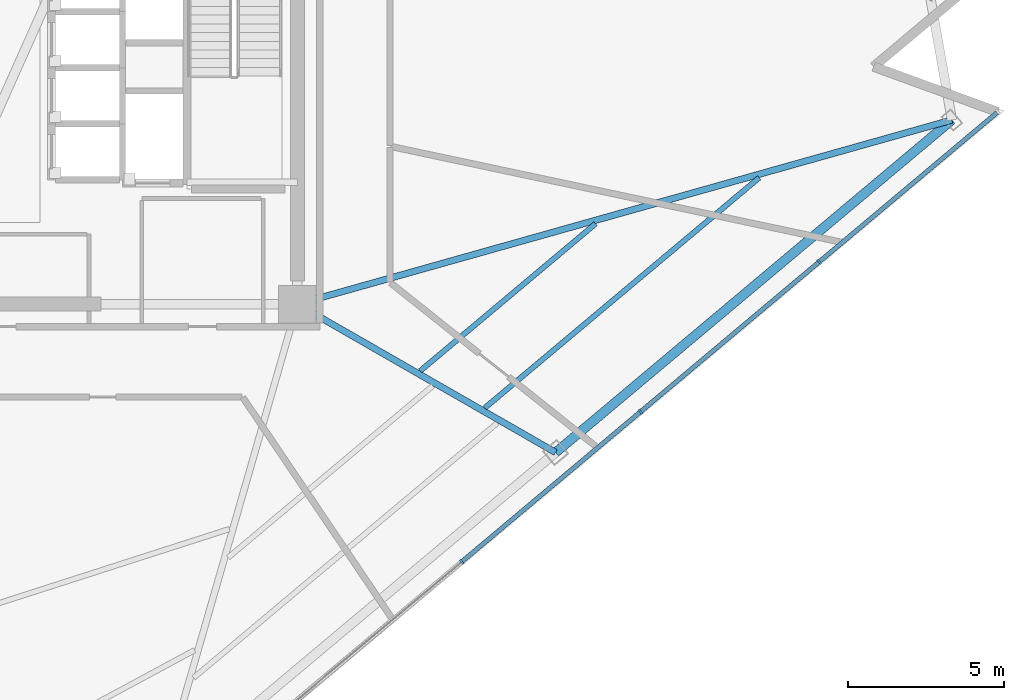
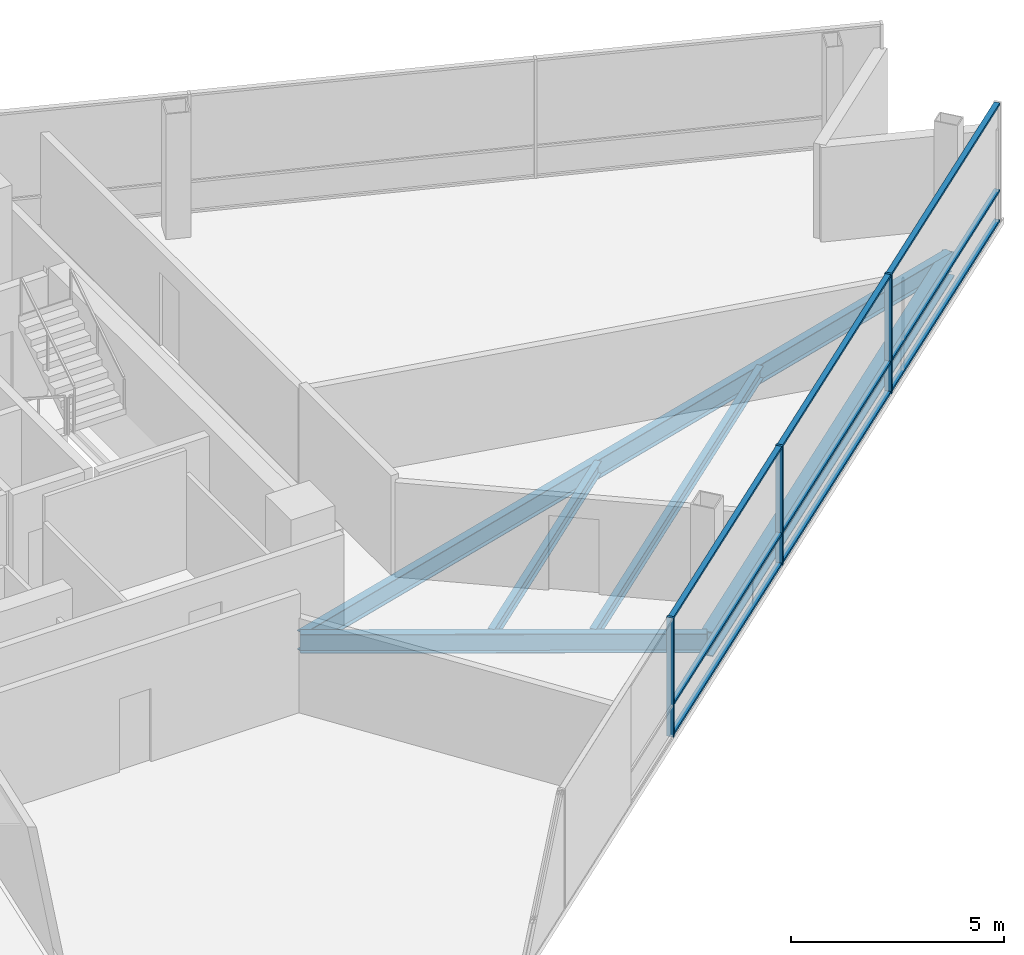
# One storey, part 4 of 16: 12 members, 5 beams, 1 element without a shape of its own.
"""IFC4 building model written with IfcOpenShell, lengths in metres."""

import ifcopenshell
import ifcopenshell.guid

model = None  # the IFC model being written
_history = None  # IfcOwnerHistory: only IFC2X3 demands one
_inside = {}  # id of a spatial element -> (the spatial element, [elements in it])
_under = {}  # id of a project, library or spatial element -> (it, [spatial elements below it])
_declared = {}  # id of a project -> (the project, [libraries it declares])
_typed = {}  # id of a type object -> (the type object, [elements of that type])
_made_of = {}  # id of a material, layer set ... -> (it, [elements and type objects made of it])


def new_model(schema):
    """Start an empty IFC model of exactly this schema.

    Asked for "IFC4X3", IfcOpenShell would pick the latest addendum, in which some entities
    have other attributes; the version numbers below select the first issue.
    IFC2X3 requires an IfcOwnerHistory on every rooted entity: one is made here for all.
    """
    global model, _history
    if schema == "IFC4X3":
        model = ifcopenshell.file(schema_version=(4, 3, 0, 0))
    else:
        model = ifcopenshell.file(schema=schema)
    _inside.clear()
    _under.clear()
    _declared.clear()
    _typed.clear()
    _made_of.clear()
    _history = None
    if model.schema == "IFC2X3":
        org = make("IfcOrganization", Name="unknown")
        user = make(
            "IfcPersonAndOrganization",
            ThePerson=make("IfcPerson", FamilyName="unknown"),
            TheOrganization=org,
        )
        app = make(
            "IfcApplication",
            ApplicationDeveloper=org,
            Version="unknown",
            ApplicationFullName="unknown",
            ApplicationIdentifier="unknown",
        )
        _history = make(
            "IfcOwnerHistory",
            OwningUser=user,
            OwningApplication=app,
            ChangeAction="ADDED",
            CreationDate=0,
        )
    return model


def make(cls, **values):
    """One entity of the class cls with the attributes given. An attribute that is None is left unset."""
    return model.create_entity(
        cls, **{name: value for name, value in values.items() if value is not None}
    )


def rooted(cls, **values):
    """An entity with a GlobalId (a new one), such as an element, a storey or a relation."""
    return make(cls, GlobalId=ifcopenshell.guid.new(), OwnerHistory=_history, **values)


def si_unit(unit_type, name, prefix=None):
    """IfcSIUnit, for example si_unit("LENGTHUNIT", "METRE", prefix="MILLI")."""
    return make("IfcSIUnit", UnitType=unit_type, Prefix=prefix, Name=name)


def assignment(units):
    """IfcUnitAssignment: the units of a project."""
    return None if units is None else make("IfcUnitAssignment", Units=units)


def point(xyz):
    """IfcCartesianPoint."""
    return None if xyz is None else make("IfcCartesianPoint", Coordinates=xyz)


def direction(xyz):
    """IfcDirection."""
    return None if xyz is None else make("IfcDirection", DirectionRatios=xyz)


def frame(location, z_axis=None, x_axis=None):
    """IfcAxis2Placement3D, a coordinate frame: its origin and axes. An axis left out is left unset."""
    return make(
        "IfcAxis2Placement3D",
        Location=point(location),
        Axis=direction(z_axis),
        RefDirection=direction(x_axis),
    )


def frame_2d(location, x_axis=None):
    """IfcAxis2Placement2D, a coordinate frame in the plane: its origin and x axis."""
    return make(
        "IfcAxis2Placement2D", Location=point(location), RefDirection=direction(x_axis)
    )


def origin():
    """The frame at (0, 0, 0) with its axes left unset."""
    return frame((0.0, 0.0, 0.0))


def origin_2d():
    """The frame at (0, 0) in the plane with its x axis left unset."""
    return frame_2d((0.0, 0.0))


def place(relative_to, where):
    """IfcLocalPlacement: puts the frame where relative to a parent placement (None: the world)."""
    return make(
        "IfcLocalPlacement", PlacementRelTo=relative_to, RelativePlacement=where
    )


def context(
    kind, dimensions, precision=None, world=None, true_north=None, identifier=None
):
    """IfcGeometricRepresentationContext, for example the 3D "Model" context."""
    return make(
        "IfcGeometricRepresentationContext",
        ContextIdentifier=identifier,
        ContextType=kind,
        CoordinateSpaceDimension=dimensions,
        Precision=precision,
        WorldCoordinateSystem=world,
        TrueNorth=true_north,
    )


def subcontext(parent, identifier, kind, view, scale=None):
    """IfcGeometricRepresentationSubContext, for example "Body" below "Model"."""
    return make(
        "IfcGeometricRepresentationSubContext",
        ContextIdentifier=identifier,
        ContextType=kind,
        ParentContext=parent,
        TargetScale=scale,
        TargetView=view,
    )


def project(units=None, contexts=None):
    """IfcProject with its units and contexts."""
    return rooted(
        "IfcProject",
        Name="project",
        RepresentationContexts=contexts,
        UnitsInContext=assignment(units),
    )


def spatial(cls, under=None, at=None, **own):
    """A site, building, storey or space (cls), placed at a placement, below another one or the project."""
    s = rooted(cls, ObjectPlacement=at, **own)
    if under is not None:
        _under.setdefault(under.id(), (under, []))[1].append(s)
    return s


def profile(cls, at=None, kind="AREA", **sizes):
    """A parametric profile (cls). Its sizes go by their IFC names, for example OverallWidth=200.0."""
    return make(cls, ProfileType=kind, Position=at, **sizes)


def rectangle(**sizes):
    """IfcRectangleProfileDef."""
    return profile("IfcRectangleProfileDef", **sizes)


def i_section(**sizes):
    """IfcIShapeProfileDef."""
    return profile("IfcIShapeProfileDef", **sizes)


def extrude(swept, where, along, depth):
    """IfcExtrudedAreaSolid: the profile swept, set in the frame where, extruded along a direction by depth."""
    return make(
        "IfcExtrudedAreaSolid",
        SweptArea=swept,
        Position=where,
        ExtrudedDirection=direction(along),
        Depth=depth,
    )


def shape(context_of_items, identifier, shape_type, items):
    """IfcShapeRepresentation: the items that make up one representation, for example the "Body"."""
    return make(
        "IfcShapeRepresentation",
        ContextOfItems=context_of_items,
        RepresentationIdentifier=identifier,
        RepresentationType=shape_type,
        Items=items,
    )


def material(Name=None, Category=None):
    """IfcMaterial."""
    return make("IfcMaterial", Name=Name, Category=Category)


def layer(
    of_material, thickness, ventilated=None, Name=None, Category=None, Priority=None
):
    """IfcMaterialLayer: one layer of a wall or slab, of a material (None: an air gap)."""
    return make(
        "IfcMaterialLayer",
        Material=of_material,
        LayerThickness=thickness,
        IsVentilated=ventilated,
        Name=Name,
        Category=Category,
        Priority=Priority,
    )


def layer_set(layers, Name=None):
    """IfcMaterialLayerSet."""
    return make("IfcMaterialLayerSet", MaterialLayers=layers, LayerSetName=Name)


def material_profile(
    of_material, cross_section, Name=None, Category=None, Priority=None
):
    """IfcMaterialProfile: a cross section and its material."""
    return make(
        "IfcMaterialProfile",
        Name=Name,
        Material=of_material,
        Profile=cross_section,
        Priority=Priority,
        Category=Category,
    )


def profile_set(profiles, Name=None, composite=None):
    """IfcMaterialProfileSet."""
    return make(
        "IfcMaterialProfileSet",
        Name=Name,
        MaterialProfiles=profiles,
        CompositeProfile=composite,
    )


def made_of(thing, what):
    """Note that an element or type object is made of a material, layer set ...; save() writes the relation."""
    if what is not None:
        _made_of.setdefault(what.id(), (what, []))[1].append(thing)
    return thing


def type_object(cls, material=None, **own):
    """A type object (cls), such as IfcWallType, which elements share."""
    return made_of(rooted(cls, **own), material)


def element(
    cls,
    number,
    at=None,
    inside=None,
    cuts=None,
    type_object=None,
    material=None,
    context=None,
    identifier="Body",
    shape_type=None,
    held_by="IfcProductDefinitionShape",
    body=None,
    shapes=None,
    **own,
):
    """One element of the class cls, such as IfcWall. Its Tag is "e" and its number.

    at: its placement. inside: the storey or other place that contains it. cuts: it is an
    opening in that element (IfcRelVoidsElement). A single representation is given by context,
    identifier, shape_type and body (its items); several are given by shapes. held_by: the class
    of the entity that holds the representations. save() writes the other relations.
    """
    e = rooted(cls, Tag="e%d" % number, ObjectPlacement=at, **own)
    if body is not None:
        shapes = [shape(context, identifier, shape_type, body)]
    if shapes is not None:
        e.Representation = make(held_by, Representations=shapes)
    if inside is not None:
        _inside.setdefault(inside.id(), (inside, []))[1].append(e)
    if cuts is not None:
        rooted(
            "IfcRelVoidsElement", RelatingBuildingElement=cuts, RelatedOpeningElement=e
        )
    if type_object is not None:
        _typed.setdefault(type_object.id(), (type_object, []))[1].append(e)
    return made_of(e, material)


def aggregate(whole, parts):
    """IfcRelAggregates: a whole, such as a stair, and the parts it consists of."""
    return rooted("IfcRelAggregates", RelatingObject=whole, RelatedObjects=parts)


def save(model, path):
    """Write the relations noted so far, then the file.

    IfcRelAggregates (storeys below a building ...), IfcRelContainedInSpatialStructure (elements
    in a storey), IfcRelDefinesByType, IfcRelAssociatesMaterial and IfcRelDeclares: one each for
    every whole, place, type object, material and project.
    """
    for whole, parts in _under.values():
        aggregate(whole, parts)
    for where, things in _inside.values():
        rooted(
            "IfcRelContainedInSpatialStructure",
            RelatedElements=things,
            RelatingStructure=where,
        )
    for kind, things in _typed.values():
        rooted("IfcRelDefinesByType", RelatedObjects=things, RelatingType=kind)
    for what, things in _made_of.values():
        rooted("IfcRelAssociatesMaterial", RelatedObjects=things, RelatingMaterial=what)
    for by, libraries in _declared.values():
        rooted("IfcRelDeclares", RelatingContext=by, RelatedDefinitions=libraries)
    model.write(path)


model = new_model("IFC4")

# Units and contexts
model_context = context("Model", 3, precision=1e-05, world=origin(), true_north=direction((0.0, 1.0)))
body_context = subcontext(model_context, "Body", "Model", "MODEL_VIEW")
ifc_project = project(units=[si_unit("LENGTHUNIT", "METRE"), si_unit("AREAUNIT", "SQUARE_METRE"), si_unit("VOLUMEUNIT", "CUBIC_METRE"), si_unit("PLANEANGLEUNIT", "RADIAN"), si_unit("MASSUNIT", "GRAM", prefix="KILO")], contexts=[model_context])

# Site, building, storey
site_placement = place(None, origin())
site = spatial("IfcSite", under=ifc_project, at=site_placement, CompositionType="ELEMENT")
building_placement = place(site_placement, origin())
building = spatial("IfcBuilding", under=site, at=building_placement, Name="Tharavind Bronze Gate", CompositionType="ELEMENT")
storey_placement = place(building_placement, frame((0.0, 0.0, 170.5)))
storey = spatial("IfcBuildingStorey", under=building, at=storey_placement, Name="L43", CompositionType="ELEMENT", Elevation=170.5)

# Curtain wall, members
ifc_material_1 = material(Name="Anodised Bronze Aluminium", Category="aluminium")
ifc_layer = layer(ifc_material_1, 0.219970703125)
ifc_layer_set = layer_set([ifc_layer], Name="Anodised Bronze Aluminium")
curtain_wall_type = type_object("IfcCurtainWallType", Name="UNITISED CURTAIN WALL MID OFFICE", PredefinedType="USERDEFINED", material=ifc_layer_set)
curtain_wall_placement = place(storey_placement, origin())
curtain_wall = element("IfcCurtainWall", 1, at=curtain_wall_placement, inside=storey, type_object=curtain_wall_type, Name="L43 unitised curtain wall mid office CW-L43-S2", ObjectType="UNITISED CURTAIN WALL", PredefinedType="USERDEFINED")
member_type_1 = type_object("IfcMemberType", Name="CURTAIN WALL BRONZE MULLION 65X180", PredefinedType="MULLION", material=ifc_material_1)
member_1_placement = place(storey_placement, frame((14.18408203125, -15.873291015625, 0.0), z_axis=(0.0, 0.0, 1.0), x_axis=(0.766043321242, 0.642788946685, 0.0)))
member_1 = element("IfcMember", 2, at=member_1_placement, type_object=member_type_1, Name="CW-L43-S2 mullion 5", PredefinedType="MULLION", context=body_context, shape_type="SweptSolid", body=[
    extrude(rectangle(XDim=0.06494140625, YDim=0.179931640625, at=origin_2d()), origin(), (0.0, 0.0, 1.0), 3.419921875),
])
member_2_placement = place(storey_placement, frame((19.926513671875, -11.0546875, 0.0), z_axis=(0.0, 0.0, 1.0), x_axis=(0.766043321242, 0.642788946685, 0.0)))
member_2 = element("IfcMember", 3, at=member_2_placement, type_object=member_type_1, Name="CW-L43-S2 mullion 6", PredefinedType="MULLION", context=body_context, shape_type="SweptSolid", body=[
    extrude(rectangle(XDim=0.06494140625, YDim=0.179931640625, at=origin_2d()), origin(), (0.0, 0.0, 1.0), 3.419921875),
])
member_3_placement = place(storey_placement, frame((25.668701171875, -6.236572265625, 0.0), z_axis=(0.0, 0.0, 1.0), x_axis=(0.766043321242, 0.642788946685, 0.0)))
member_3 = element("IfcMember", 4, at=member_3_placement, type_object=member_type_1, Name="CW-L43-S2 mullion 7", PredefinedType="MULLION", context=body_context, shape_type="SweptSolid", body=[
    extrude(rectangle(XDim=0.06494140625, YDim=0.179931640625, at=origin_2d()), origin(), (0.0, 0.0, 1.0), 3.419921875),
])
member_type_2 = type_object("IfcMemberType", Name="CURTAIN WALL BRONZE TRANSOM 65X140", PredefinedType="USERDEFINED", material=ifc_material_1)
member_4_placement = place(storey_placement, frame((17.055419921875, -13.464111328125, 0.0), z_axis=(0.0, 0.0, 1.0), x_axis=(0.766043321242, 0.642788946685, 0.0)))
member_4 = element("IfcMember", 5, at=member_4_placement, type_object=member_type_2, Name="CW-L43-S2 transom TB5", ObjectType="TRANSOM", PredefinedType="USERDEFINED", context=body_context, shape_type="SweptSolid", body=[
    extrude(rectangle(XDim=7.443115234375, YDim=0.139892578125, at=origin_2d()), origin(), (0.0, 0.0, 1.0), 0.06494140625),
])
member_5_placement = place(storey_placement, frame((17.055419921875, -13.464111328125, 0.867431640625), z_axis=(0.0, 0.0, 1.0), x_axis=(0.766043321242, 0.642788946685, 0.0)))
member_5 = element("IfcMember", 6, at=member_5_placement, type_object=member_type_2, Name="CW-L43-S2 transom TS5", ObjectType="TRANSOM", PredefinedType="USERDEFINED", context=body_context, shape_type="SweptSolid", body=[
    extrude(rectangle(XDim=7.443115234375, YDim=0.139892578125, at=origin_2d()), origin(), (0.0, 0.0, 1.0), 0.06494140625),
])
member_6_placement = place(storey_placement, frame((17.055419921875, -13.464111328125, 3.35498046875), z_axis=(0.0, 0.0, 1.0), x_axis=(0.766043321242, 0.642788946685, 0.0)))
member_6 = element("IfcMember", 7, at=member_6_placement, type_object=member_type_2, Name="CW-L43-S2 transom TT5", ObjectType="TRANSOM", PredefinedType="USERDEFINED", context=body_context, shape_type="SweptSolid", body=[
    extrude(rectangle(XDim=7.443115234375, YDim=0.139892578125, at=origin_2d()), origin(), (0.0, 0.0, 1.0), 0.06494140625),
])
member_7_placement = place(storey_placement, frame((22.797607421875, -8.645751953125, 0.0), z_axis=(0.0, 0.0, 1.0), x_axis=(0.766043321242, 0.642788946685, 0.0)))
member_7 = element("IfcMember", 8, at=member_7_placement, type_object=member_type_2, Name="CW-L43-S2 transom TB6", ObjectType="TRANSOM", PredefinedType="USERDEFINED", context=body_context, shape_type="SweptSolid", body=[
    extrude(rectangle(XDim=7.443115234375, YDim=0.139892578125, at=origin_2d()), origin(), (0.0, 0.0, 1.0), 0.06494140625),
])
member_8_placement = place(storey_placement, frame((22.797607421875, -8.645751953125, 0.867431640625), z_axis=(0.0, 0.0, 1.0), x_axis=(0.766043321242, 0.642788946685, 0.0)))
member_8 = element("IfcMember", 9, at=member_8_placement, type_object=member_type_2, Name="CW-L43-S2 transom TS6", ObjectType="TRANSOM", PredefinedType="USERDEFINED", context=body_context, shape_type="SweptSolid", body=[
    extrude(rectangle(XDim=7.443115234375, YDim=0.139892578125, at=origin_2d()), origin(), (0.0, 0.0, 1.0), 0.06494140625),
])
member_9_placement = place(storey_placement, frame((22.797607421875, -8.645751953125, 3.35498046875), z_axis=(0.0, 0.0, 1.0), x_axis=(0.766043321242, 0.642788946685, 0.0)))
member_9 = element("IfcMember", 10, at=member_9_placement, type_object=member_type_2, Name="CW-L43-S2 transom TT6", ObjectType="TRANSOM", PredefinedType="USERDEFINED", context=body_context, shape_type="SweptSolid", body=[
    extrude(rectangle(XDim=7.443115234375, YDim=0.139892578125, at=origin_2d()), origin(), (0.0, 0.0, 1.0), 0.06494140625),
])
member_10_placement = place(storey_placement, frame((28.539794921875, -3.827392578125, 0.0), z_axis=(0.0, 0.0, 1.0), x_axis=(0.766043321242, 0.642788946685, 0.0)))
member_10 = element("IfcMember", 11, at=member_10_placement, type_object=member_type_2, Name="CW-L43-S2 transom TB7", ObjectType="TRANSOM", PredefinedType="USERDEFINED", context=body_context, shape_type="SweptSolid", body=[
    extrude(rectangle(XDim=7.443115234375, YDim=0.139892578125, at=origin_2d()), origin(), (0.0, 0.0, 1.0), 0.06494140625),
])
member_11_placement = place(storey_placement, frame((28.539794921875, -3.827392578125, 0.867431640625), z_axis=(0.0, 0.0, 1.0), x_axis=(0.766043321242, 0.642788946685, 0.0)))
member_11 = element("IfcMember", 12, at=member_11_placement, type_object=member_type_2, Name="CW-L43-S2 transom TS7", ObjectType="TRANSOM", PredefinedType="USERDEFINED", context=body_context, shape_type="SweptSolid", body=[
    extrude(rectangle(XDim=7.443115234375, YDim=0.139892578125, at=origin_2d()), origin(), (0.0, 0.0, 1.0), 0.06494140625),
])
member_12_placement = place(storey_placement, frame((28.539794921875, -3.827392578125, 3.35498046875), z_axis=(0.0, 0.0, 1.0), x_axis=(0.766043321242, 0.642788946685, 0.0)))
member_12 = element("IfcMember", 13, at=member_12_placement, type_object=member_type_2, Name="CW-L43-S2 transom TT7", ObjectType="TRANSOM", PredefinedType="USERDEFINED", context=body_context, shape_type="SweptSolid", body=[
    extrude(rectangle(XDim=7.443115234375, YDim=0.139892578125, at=origin_2d()), origin(), (0.0, 0.0, 1.0), 0.06494140625),
])
aggregate(curtain_wall, [member_1, member_2, member_3, member_4, member_5, member_6, member_7, member_8, member_9, member_10, member_11, member_12])

# Beams
ifc_material_2 = material(Name="Steel S355", Category="steel")
ifc_material_profile_1 = material_profile(ifc_material_2, i_section(OverallWidth=0.2099609375, OverallDepth=0.550048828125, WebThickness=0.010986328125, FlangeThickness=0.01708984375, at=origin_2d()), Name="IPE550")
ifc_profile_set_1 = profile_set([ifc_material_profile_1], Name="Steel S355")
beam_type_1 = type_object("IfcBeamType", Name="PRIMARY GIRDER IPE550", PredefinedType="USERDEFINED", material=ifc_profile_set_1)
beam_1_placement = place(storey_placement, frame((17.198486328125, -12.36474609375, -0.455078125), z_axis=(-0.867223923142, 0.497918333796, 0.0), x_axis=(-0.497918333796, -0.867223923142, 0.0)))
element("IfcBeam", 14, at=beam_1_placement, inside=storey, type_object=beam_type_1, Name="L43 primary girder ipe550 BM-L43-RAD07", ObjectType="GIRDER", PredefinedType="USERDEFINED", context=body_context, shape_type="SweptSolid", body=[
    extrude(i_section(OverallWidth=0.2099609375, OverallDepth=0.550048828125, WebThickness=0.010986328125, FlangeThickness=0.01708984375, at=origin_2d()), origin(), (0.0, 0.0, 1.0), 9.569091796875),
])
beam_2_placement = place(storey_placement, frame((29.933837890625, -1.6787109375, -0.455078125), z_axis=(-0.962584208387, -0.270982733332, 0.0), x_axis=(0.270982733332, -0.962584208387, 0.0)))
element("IfcBeam", 15, at=beam_2_placement, inside=storey, type_object=beam_type_1, Name="L43 primary girder ipe550 BM-L43-RAD08", ObjectType="GIRDER", PredefinedType="USERDEFINED", context=body_context, shape_type="SweptSolid", body=[
    extrude(i_section(OverallWidth=0.2099609375, OverallDepth=0.550048828125, WebThickness=0.010986328125, FlangeThickness=0.01708984375, at=origin_2d()), origin(), (0.0, 0.0, 1.0), 21.8515625),
])
ifc_material_profile_2 = material_profile(ifc_material_2, i_section(OverallWidth=0.300048828125, OverallDepth=0.699951171875, WebThickness=0.01708984375, FlangeThickness=0.031982421875, at=origin_2d()), Name="HE700B")
ifc_profile_set_2 = profile_set([ifc_material_profile_2], Name="Steel S355")
beam_type_2 = type_object("IfcBeamType", Name="RING GIRDER HE700B", PredefinedType="USERDEFINED", material=ifc_profile_set_2)
beam_3_placement = place(storey_placement, frame((17.198486328125, -12.36474609375, -0.530029296875), z_axis=(0.766050178558, 0.642780774394, 0.0), x_axis=(-0.642780774394, 0.766050178558, 0.0)))
element("IfcBeam", 16, at=beam_3_placement, inside=storey, type_object=beam_type_2, Name="L43 ring girder he700b BM-L43-PRG07", ObjectType="GIRDER", PredefinedType="USERDEFINED", context=body_context, shape_type="SweptSolid", body=[
    extrude(i_section(OverallWidth=0.300048828125, OverallDepth=0.699951171875, WebThickness=0.01708984375, FlangeThickness=0.031982421875, at=origin_2d()), origin(), (0.0, 0.0, 1.0), 16.624755859375),
])
ifc_material_profile_3 = material_profile(ifc_material_2, i_section(OverallWidth=0.169921875, OverallDepth=0.360107421875, WebThickness=0.008056640625, FlangeThickness=0.0126953125, at=origin_2d()), Name="IPE360")
ifc_profile_set_3 = profile_set([ifc_material_profile_3], Name="Steel S355")
beam_type_3 = type_object("IfcBeamType", Name="SECONDARY FLOOR JOIST IPE360", PredefinedType="JOIST", material=ifc_profile_set_3)
beam_4_placement = place(storey_placement, frame((12.84765625, -9.7412109375, -0.360107421875), z_axis=(0.76602387, 0.642812126979, 0.0), x_axis=(-0.642812126979, 0.76602387, 0.0)))
element("IfcBeam", 17, at=beam_4_placement, inside=storey, type_object=beam_type_3, Name="L43 secondary floor joist ipe360 BM-L43-JSTA07", PredefinedType="JOIST", context=body_context, shape_type="SweptSolid", body=[
    extrude(i_section(OverallWidth=0.169921875, OverallDepth=0.360107421875, WebThickness=0.008056640625, FlangeThickness=0.0126953125, at=origin_2d()), origin(), (0.0, 0.0, 1.0), 7.355224609375),
])
beam_5_placement = place(storey_placement, frame((14.922119140625, -10.932373046875, -0.360107421875), z_axis=(0.766047353374, 0.642784141364, 0.0), x_axis=(-0.642784141364, 0.766047353374, 0.0)))
element("IfcBeam", 18, at=beam_5_placement, inside=storey, type_object=beam_type_3, Name="L43 secondary floor joist ipe360 BM-L43-JSTB07", PredefinedType="JOIST", context=body_context, shape_type="SweptSolid", body=[
    extrude(i_section(OverallWidth=0.169921875, OverallDepth=0.360107421875, WebThickness=0.008056640625, FlangeThickness=0.0126953125, at=origin_2d()), origin(), (0.0, 0.0, 1.0), 11.511474609375),
])

save(model, "model.ifc")
